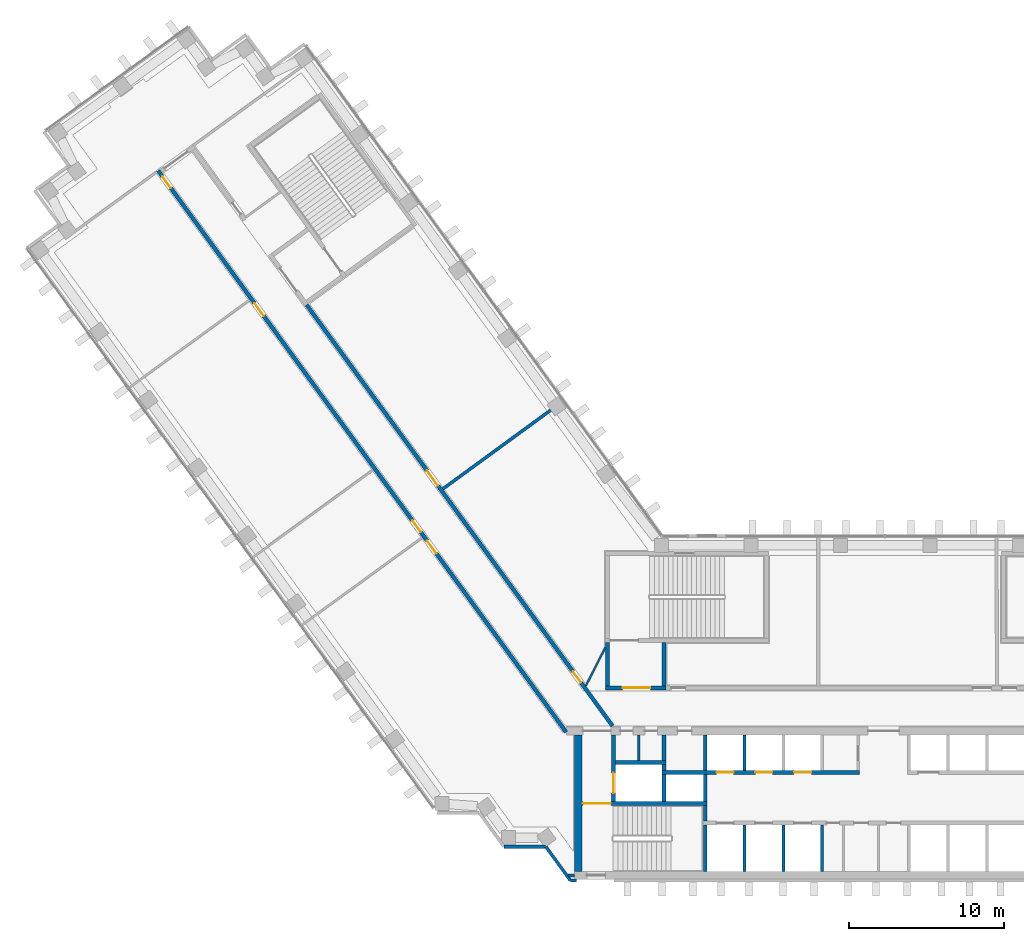
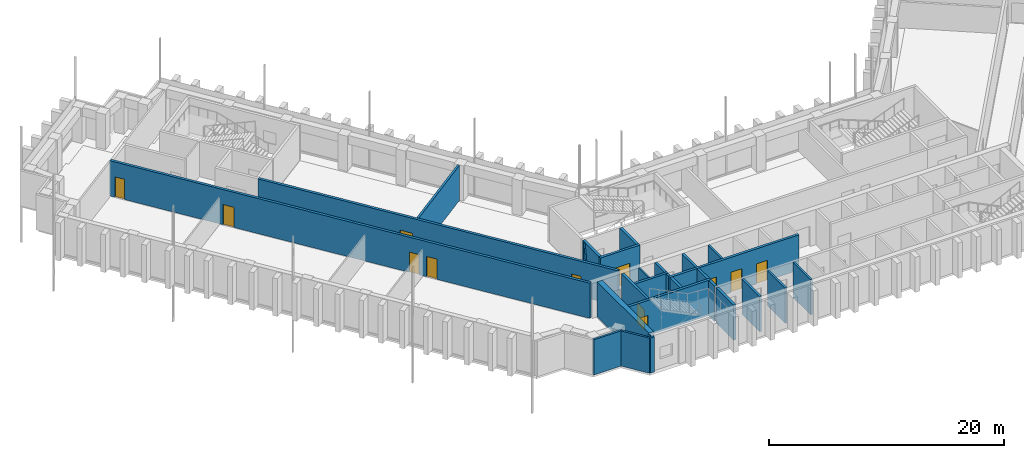
# One storey, part 9 of 17: 28 walls, 12 doors, 12 openings.
"""IFC4 building model written with IfcOpenShell, lengths in metres."""

from ifc_helpers import new_model, si_unit, direction, frame, frame_2d, origin, place, context, subcontext, project, spatial, rectangle, extrude, material, layer, layer_set, type_object, element, fill, save


model = new_model("IFC4")

# Units and contexts
model_context = context("Model", 3, precision=1e-05, world=origin(), true_north=direction((0.0, 1.0)))
body_context = subcontext(model_context, "Body", "Model", "MODEL_VIEW")
ifc_project = project(units=[si_unit("LENGTHUNIT", "METRE"), si_unit("AREAUNIT", "SQUARE_METRE"), si_unit("VOLUMEUNIT", "CUBIC_METRE"), si_unit("PLANEANGLEUNIT", "RADIAN"), si_unit("MASSUNIT", "GRAM", prefix="KILO")], contexts=[model_context])

# Site, building, storey
site_placement = place(None, origin())
site = spatial("IfcSite", under=ifc_project, at=site_placement, CompositionType="ELEMENT")
building_placement = place(site_placement, origin())
building = spatial("IfcBuilding", under=site, at=building_placement, Name="Quipu Civic Tower", CompositionType="ELEMENT")
storey_placement = place(building_placement, frame((0.0, 0.0, 101.0)))
storey = spatial("IfcBuildingStorey", under=building, at=storey_placement, Name="L23", CompositionType="ELEMENT", Elevation=101.0)

# Walls
ifc_material_1 = material(Name="Fired clay blockwork", Category="masonry")
ifc_layer_1 = layer(ifc_material_1, 0.199951171875)
ifc_layer_set_1 = layer_set([ifc_layer_1], Name="Fired clay blockwork")
wall_type_1 = type_object("IfcWallType", Name="Blockwork wall 200", PredefinedType="SOLIDWALL", material=ifc_layer_set_1)
wall_1_placement = place(storey_placement, frame((-28.468994140625, 14.1240234375, 0.0), z_axis=(0.0, 0.0, 1.0), x_axis=(0.807597163234, 0.589734535139, 0.0)))
element("IfcWall", 1, at=wall_1_placement, inside=storey, type_object=wall_type_1, Name="Partition P06", PredefinedType="SOLIDWALL", context=body_context, shape_type="SweptSolid", body=[
    extrude(rectangle(XDim=8.59521484375, YDim=0.199951171875, at=frame_2d((4.297607421875, 0.0))), origin(), (0.0, 0.0, 1.0), 3.64990234375),
])
ifc_material_2 = material(Name="Concrete C70/85", Category="concrete")
ifc_layer_2 = layer(ifc_material_2, 0.25)
ifc_layer_set_2 = layer_set([ifc_layer_2], Name="Concrete C70/85")
wall_type_2 = type_object("IfcWallType", Name="Core wall 250", PredefinedType="SHEAR", material=ifc_layer_set_2)
wall_2_placement = place(storey_placement, frame((-11.574951171875, -10.5, 0.0), z_axis=(0.0, 0.0, 1.0), x_axis=(0.0, 1.0, 0.0)))
element("IfcWall", 2, at=wall_2_placement, inside=storey, type_object=wall_type_2, Name="Core wall", PredefinedType="SHEAR", context=body_context, shape_type="SweptSolid", body=[
    extrude(rectangle(XDim=3.0, YDim=0.25, at=frame_2d((1.5, 0.0))), origin(), (0.0, 0.0, 1.0), 3.64990234375),
])
wall_3_placement = place(storey_placement, frame((-11.574951171875, -7.25, 0.0), z_axis=(0.0, 0.0, 1.0), x_axis=(0.0, 1.0, 0.0)))
element("IfcWall", 3, at=wall_3_placement, inside=storey, type_object=wall_type_2, Name="Core wall", PredefinedType="SHEAR", context=body_context, shape_type="SweptSolid", body=[
    extrude(rectangle(XDim=1.0, YDim=0.25, at=frame_2d((0.5, 0.0))), origin(), (0.0, 0.0, 1.0), 3.64990234375),
])

# Wall, opening, door
wall_4_placement = place(storey_placement, frame((-11.449951171875, -6.125, 0.0), z_axis=(0.0, 0.0, 1.0), x_axis=(-1.0, 0.0, 0.0)))
wall_4 = element("IfcWall", 4, at=wall_4_placement, inside=storey, type_object=wall_type_2, Name="Core wall", PredefinedType="SHEAR", context=body_context, shape_type="SweptSolid", body=[
    extrude(rectangle(XDim=8.050048828125, YDim=0.25, at=frame_2d((4.02490234375, 0.0))), origin(), (0.0, 0.0, 1.0), 3.64990234375),
])
opening_1_placement = place(wall_4_placement, frame((6.199951171875, 0.0, 0.0)))
opening_1 = element("IfcOpeningElement", 5, at=opening_1_placement, cuts=wall_4, Name="Opening CD-04", PredefinedType="OPENING", context=body_context, shape_type="SweptSolid", body=[
    extrude(rectangle(XDim=1.800048828125, YDim=2.10009765625, at=frame_2d((0.89990234375, 1.050048828125))), frame((0.0, 0.135009765625, 0.0), z_axis=(0.0, -1.0, 0.0), x_axis=(1.0, 0.0, 0.0)), (0.0, 0.0, 1.0), 0.27001953125),
])
ifc_material_3 = material(Name="Fire rated steel door", Category="steel")
door_type_1 = type_object("IfcDoorType", Name="Fire door FD90 double 1800 x 2100", OperationType="NOTDEFINED", PredefinedType="DOOR", material=ifc_material_3)
door_1_placement = place(opening_1_placement, origin())
door_1 = element("IfcDoor", 6, at=door_1_placement, inside=storey, type_object=door_type_1, Name="Door", OperationType="DOUBLE_DOOR_SINGLE_SWING", OverallHeight=2.10009765625, OverallWidth=1.800048828125, PredefinedType="DOOR", context=body_context, shape_type="SweptSolid", body=[
    extrude(rectangle(XDim=1.800048828125, YDim=2.10009765625, at=frame_2d((0.89990234375, 1.050048828125))), frame((0.0, 0.02490234375, 0.0), z_axis=(0.0, -1.0, 0.0), x_axis=(1.0, 0.0, 0.0)), (0.0, 0.0, 1.0), 0.050048828125),
])
fill(opening_1, door_1)

wall_5_placement = place(storey_placement, frame((-17.47509765625, -6.0, 0.0), z_axis=(0.0, 0.0, 1.0), x_axis=(0.0, 1.0, 0.0)))
wall_5 = element("IfcWall", 7, at=wall_5_placement, inside=storey, type_object=wall_type_2, Name="Core wall", PredefinedType="SHEAR", context=body_context, shape_type="SweptSolid", body=[
    extrude(rectangle(XDim=4.300048828125, YDim=0.25, at=frame_2d((2.14990234375, 0.0))), origin(), (0.0, 0.0, 1.0), 3.64990234375),
])
opening_2_placement = place(wall_5_placement, frame((0.550048828125, 0.0, 0.0)))
opening_2 = element("IfcOpeningElement", 8, at=opening_2_placement, cuts=wall_5, Name="Opening LD-FF1", PredefinedType="OPENING", context=body_context, shape_type="SweptSolid", body=[
    extrude(rectangle(XDim=1.300048828125, YDim=2.10009765625, at=frame_2d((0.64990234375, 1.050048828125))), frame((0.0, 0.135009765625, 0.0), z_axis=(0.0, -1.0, 0.0), x_axis=(1.0, 0.0, 0.0)), (0.0, 0.0, 1.0), 0.27001953125),
])
ifc_material_4 = material(Name="Stainless steel", Category="steel")
door_type_2 = type_object("IfcDoorType", Name="Lift landing door 1300 x 2100", OperationType="DOUBLE_DOOR_SLIDING", PredefinedType="DOOR", material=ifc_material_4)
door_2_placement = place(opening_2_placement, origin())
door_2 = element("IfcDoor", 9, at=door_2_placement, inside=storey, type_object=door_type_2, Name="Landing door FF1", OperationType="DOUBLE_DOOR_SLIDING", OverallHeight=2.10009765625, OverallWidth=1.300048828125, PredefinedType="DOOR", context=body_context, shape_type="SweptSolid", body=[
    extrude(rectangle(XDim=1.300048828125, YDim=2.10009765625, at=frame_2d((0.64990234375, 1.050048828125))), frame((0.0, 0.02490234375, 0.0), z_axis=(0.0, -1.0, 0.0), x_axis=(1.0, 0.0, 0.0)), (0.0, 0.0, 1.0), 0.050048828125),
])
fill(opening_2, door_2)

# Walls
for number, where, z_axis, x_axis, name in (
    (10, (-14.22509765625, -6.0, 0.0), (0.0, 0.0, 1.0), (0.0, 1.0, 0.0), "Core wall"),
    (11, (-11.574951171875, -6.0, 0.0), (0.0, 0.0, 1.0), (0.0, 1.0, 0.0), "Core wall"),
):
    element("IfcWall", number, at=place(storey_placement, frame(where, z_axis=z_axis, x_axis=x_axis)), inside=storey, type_object=wall_type_2, Name=name, PredefinedType="SHEAR", context=body_context, shape_type="SweptSolid", body=[
        extrude(rectangle(XDim=1.75, YDim=0.25, at=frame_2d((0.875, 0.0))), origin(), (0.0, 0.0, 1.0), 3.64990234375),
    ])

# Wall, openings, doors
wall_6_placement = place(storey_placement, frame((-14.35009765625, -4.125, 0.0), z_axis=(0.0, 0.0, 1.0), x_axis=(1.0, 0.0, 0.0)))
wall_6 = element("IfcWall", 12, at=wall_6_placement, inside=storey, type_object=wall_type_2, Name="Core wall", PredefinedType="SHEAR", context=body_context, shape_type="SweptSolid", body=[
    extrude(rectangle(XDim=12.7001953125, YDim=0.25, at=frame_2d((6.35009765625, 0.0))), origin(), (0.0, 0.0, 1.0), 3.64990234375),
])
opening_3_placement = place(wall_6_placement, frame((3.5, 0.0, 0.0)))
opening_3 = element("IfcOpeningElement", 13, at=opening_3_placement, cuts=wall_6, Name="Opening LD-LL4", PredefinedType="OPENING", context=body_context, shape_type="SweptSolid", body=[
    extrude(rectangle(XDim=1.10009765625, YDim=2.10009765625, at=frame_2d((0.550048828125, 1.050048828125))), frame((0.0, 0.135009765625, 0.0), z_axis=(0.0, -1.0, 0.0), x_axis=(1.0, 0.0, 0.0)), (0.0, 0.0, 1.0), 0.27001953125),
])
opening_4_placement = place(wall_6_placement, frame((6.0, 0.0, 0.0)))
opening_4 = element("IfcOpeningElement", 14, at=opening_4_placement, cuts=wall_6, Name="Opening LD-LL5", PredefinedType="OPENING", context=body_context, shape_type="SweptSolid", body=[
    extrude(rectangle(XDim=1.10009765625, YDim=2.10009765625, at=frame_2d((0.550048828125, 1.050048828125))), frame((0.0, 0.135009765625, 0.0), z_axis=(0.0, -1.0, 0.0), x_axis=(1.0, 0.0, 0.0)), (0.0, 0.0, 1.0), 0.27001953125),
])
opening_5_placement = place(wall_6_placement, frame((8.5, 0.0, 0.0)))
opening_5 = element("IfcOpeningElement", 15, at=opening_5_placement, cuts=wall_6, Name="Opening LD-LL6", PredefinedType="OPENING", context=body_context, shape_type="SweptSolid", body=[
    extrude(rectangle(XDim=1.10009765625, YDim=2.10009765625, at=frame_2d((0.550048828125, 1.050048828125))), frame((0.0, 0.135009765625, 0.0), z_axis=(0.0, -1.0, 0.0), x_axis=(1.0, 0.0, 0.0)), (0.0, 0.0, 1.0), 0.27001953125),
])
ifc_material_5 = material(Name="Stainless steel", Category="steel")
door_type_3 = type_object("IfcDoorType", Name="Lift landing door 1100 x 2100", OperationType="DOUBLE_DOOR_SLIDING", PredefinedType="DOOR", material=ifc_material_5)
door_3_placement = place(opening_3_placement, origin())
door_3 = element("IfcDoor", 16, at=door_3_placement, inside=storey, type_object=door_type_3, Name="Landing door LL4", OperationType="DOUBLE_DOOR_SLIDING", OverallHeight=2.10009765625, OverallWidth=1.10009765625, PredefinedType="DOOR", context=body_context, shape_type="SweptSolid", body=[
    extrude(rectangle(XDim=1.10009765625, YDim=2.10009765625, at=frame_2d((0.550048828125, 1.050048828125))), frame((0.0, 0.02490234375, 0.0), z_axis=(0.0, -1.0, 0.0), x_axis=(1.0, 0.0, 0.0)), (0.0, 0.0, 1.0), 0.050048828125),
])
fill(opening_3, door_3)
door_4_placement = place(opening_4_placement, origin())
door_4 = element("IfcDoor", 17, at=door_4_placement, inside=storey, type_object=door_type_3, Name="Landing door LL5", OperationType="DOUBLE_DOOR_SLIDING", OverallHeight=2.10009765625, OverallWidth=1.10009765625, PredefinedType="DOOR", context=body_context, shape_type="SweptSolid", body=[
    extrude(rectangle(XDim=1.10009765625, YDim=2.10009765625, at=frame_2d((0.550048828125, 1.050048828125))), frame((0.0, 0.02490234375, 0.0), z_axis=(0.0, -1.0, 0.0), x_axis=(1.0, 0.0, 0.0)), (0.0, 0.0, 1.0), 0.050048828125),
])
fill(opening_4, door_4)
door_5_placement = place(opening_5_placement, origin())
door_5 = element("IfcDoor", 18, at=door_5_placement, inside=storey, type_object=door_type_3, Name="Landing door LL6", OperationType="DOUBLE_DOOR_SLIDING", OverallHeight=2.10009765625, OverallWidth=1.10009765625, PredefinedType="DOOR", context=body_context, shape_type="SweptSolid", body=[
    extrude(rectangle(XDim=1.10009765625, YDim=2.10009765625, at=frame_2d((0.550048828125, 1.050048828125))), frame((0.0, 0.02490234375, 0.0), z_axis=(0.0, -1.0, 0.0), x_axis=(1.0, 0.0, 0.0)), (0.0, 0.0, 1.0), 0.050048828125),
])
fill(opening_5, door_5)

# Walls
wall_7_placement = place(storey_placement, frame((-14.22509765625, -4.0, 0.0), z_axis=(0.0, 0.0, 1.0), x_axis=(0.0, 1.0, 0.0)))
element("IfcWall", 19, at=wall_7_placement, inside=storey, type_object=wall_type_2, Name="Core wall", PredefinedType="SHEAR", context=body_context, shape_type="SweptSolid", body=[
    extrude(rectangle(XDim=0.39990234375, YDim=0.25, at=frame_2d((0.199951171875, 0.0))), origin(), (0.0, 0.0, 1.0), 3.64990234375),
])
wall_8_placement = place(storey_placement, frame((-11.574951171875, -4.0, 0.0), z_axis=(0.0, 0.0, 1.0), x_axis=(0.0, 1.0, 0.0)))
element("IfcWall", 20, at=wall_8_placement, inside=storey, type_object=wall_type_2, Name="Core wall", PredefinedType="SHEAR", context=body_context, shape_type="SweptSolid", body=[
    extrude(rectangle(XDim=2.300048828125, YDim=0.25, at=frame_2d((1.14990234375, 0.0))), origin(), (0.0, 0.0, 1.0), 3.64990234375),
])
wall_9_placement = place(storey_placement, frame((-17.35009765625, -3.47509765625, 0.0), z_axis=(0.0, 0.0, 1.0), x_axis=(1.0, 0.0, 0.0)))
element("IfcWall", 21, at=wall_9_placement, inside=storey, type_object=wall_type_2, Name="Core wall", PredefinedType="SHEAR", context=body_context, shape_type="SweptSolid", body=[
    extrude(rectangle(XDim=3.25, YDim=0.25, at=frame_2d((1.625, 0.0))), origin(), (0.0, 0.0, 1.0), 3.64990234375),
])
wall_10_placement = place(storey_placement, frame((-14.22509765625, -3.35009765625, 0.0), z_axis=(0.0, 0.0, 1.0), x_axis=(0.0, 1.0, 0.0)))
element("IfcWall", 22, at=wall_10_placement, inside=storey, type_object=wall_type_2, Name="Core wall", PredefinedType="SHEAR", context=body_context, shape_type="SweptSolid", body=[
    extrude(rectangle(XDim=1.650146484375, YDim=0.25, at=frame_2d((0.8251953125, 0.0))), origin(), (0.0, 0.0, 1.0), 3.64990234375),
])

# Wall, opening, door
wall_11_placement = place(storey_placement, frame((-18.0, 1.324951171875, 0.0), z_axis=(0.0, 0.0, 1.0), x_axis=(1.0, 0.0, 0.0)))
wall_11 = element("IfcWall", 23, at=wall_11_placement, inside=storey, type_object=wall_type_2, Name="Core wall", PredefinedType="SHEAR", context=body_context, shape_type="SweptSolid", body=[
    extrude(rectangle(XDim=3.89990234375, YDim=0.25, at=frame_2d((1.949951171875, 0.0))), origin(), (0.0, 0.0, 1.0), 3.64990234375),
])
opening_6_placement = place(wall_11_placement, frame((1.10009765625, 0.0, 0.0)))
opening_6 = element("IfcOpeningElement", 24, at=opening_6_placement, cuts=wall_11, Name="Opening CD-15", PredefinedType="OPENING", context=body_context, shape_type="SweptSolid", body=[
    extrude(rectangle(XDim=1.800048828125, YDim=2.10009765625, at=frame_2d((0.89990234375, 1.050048828125))), frame((0.0, 0.135009765625, 0.0), z_axis=(0.0, -1.0, 0.0), x_axis=(1.0, 0.0, 0.0)), (0.0, 0.0, 1.0), 0.27001953125),
])
door_6_placement = place(opening_6_placement, origin())
door_6 = element("IfcDoor", 25, at=door_6_placement, inside=storey, type_object=door_type_1, Name="Lobby door", OperationType="DOUBLE_DOOR_SINGLE_SWING", OverallHeight=2.10009765625, OverallWidth=1.800048828125, PredefinedType="DOOR", context=body_context, shape_type="SweptSolid", body=[
    extrude(rectangle(XDim=1.800048828125, YDim=2.10009765625, at=frame_2d((0.89990234375, 1.050048828125))), frame((0.0, 0.02490234375, 0.0), z_axis=(0.0, -1.0, 0.0), x_axis=(1.0, 0.0, 0.0)), (0.0, 0.0, 1.0), 0.050048828125),
])
fill(opening_6, door_6)

# Walls
for number, where, z_axis, x_axis, name in (
    (26, (-17.875, 1.449951171875, 0.0), (0.0, 0.0, 1.0), (0.0, 1.0, 0.0), "Core wall"),
    (27, (-14.22509765625, 1.449951171875, 0.0), (0.0, 0.0, 1.0), (0.0, 1.0, 0.0), "Core wall"),
):
    element("IfcWall", number, at=place(storey_placement, frame(where, z_axis=z_axis, x_axis=x_axis)), inside=storey, type_object=wall_type_2, Name=name, PredefinedType="SHEAR", context=body_context, shape_type="SweptSolid", body=[
        extrude(rectangle(XDim=2.800048828125, YDim=0.25, at=frame_2d((1.39990234375, 0.0))), origin(), (0.0, 0.0, 1.0), 3.64990234375),
    ])
ifc_material_6 = material(Name="Concrete C70/85", Category="concrete")
ifc_layer_3 = layer(ifc_material_6, 0.5)
ifc_layer_set_3 = layer_set([ifc_layer_3], Name="Concrete C70/85")
wall_type_3 = type_object("IfcWallType", Name="Core wall 500", PredefinedType="SHEAR", material=ifc_layer_set_3)
wall_12_placement = place(storey_placement, frame((-19.75, -10.5, 0.0), z_axis=(0.0, 0.0, 1.0), x_axis=(0.0, 1.0, 0.0)))
element("IfcWall", 28, at=wall_12_placement, inside=storey, type_object=wall_type_3, Name="Core wall", PredefinedType="SHEAR", context=body_context, shape_type="SweptSolid", body=[
    extrude(rectangle(XDim=8.800048828125, YDim=0.5, at=frame_2d((4.39990234375, 0.0))), origin(), (0.0, 0.0, 1.0), 3.64990234375),
])

# Wall, openings, doors
ifc_material_7 = material(Name="Concrete C50/60", Category="concrete")
ifc_layer_4 = layer(ifc_material_7, 0.25)
ifc_layer_set_4 = layer_set([ifc_layer_4], Name="Concrete C50/60")
wall_type_4 = type_object("IfcWallType", Name="Corridor wall 250 concrete", PredefinedType="SOLIDWALL", material=ifc_layer_set_4)
wall_13_placement = place(storey_placement, frame((-20.531005859375, -1.5234375, 0.0), z_axis=(0.0, 0.0, 1.0), x_axis=(-0.587784593204, 0.809017473231, 0.0)))
wall_13 = element("IfcWall", 29, at=wall_13_placement, inside=storey, type_object=wall_type_4, Name="Corridor wall C01", PredefinedType="SOLIDWALL", context=body_context, shape_type="SweptSolid", body=[
    extrude(rectangle(XDim=44.67041015625, YDim=0.25, at=frame_2d((22.335205078125, 0.0))), origin(), (0.0, 0.0, 1.0), 3.64990234375),
])
opening_7_placement = place(wall_13_placement, frame((43.295654296875, 0.0, 0.0)))
opening_7 = element("IfcOpeningElement", 30, at=opening_7_placement, cuts=wall_13, Name="Opening D012", PredefinedType="OPENING", context=body_context, shape_type="SweptSolid", body=[
    extrude(rectangle(XDim=0.89990234375, YDim=2.10009765625, at=frame_2d((0.449951171875, 1.050048828125))), frame((0.0, 0.135009765625, 0.0), z_axis=(0.0, -1.0, 0.0), x_axis=(1.0, 0.0, 0.0)), (0.0, 0.0, 1.0), 0.27001953125),
])
opening_8_placement = place(wall_13_placement, frame((15.915771484375, 0.0, 0.0)))
opening_8 = element("IfcOpeningElement", 31, at=opening_8_placement, cuts=wall_13, Name="Opening D014", PredefinedType="OPENING", context=body_context, shape_type="SweptSolid", body=[
    extrude(rectangle(XDim=0.89990234375, YDim=2.10009765625, at=frame_2d((0.449951171875, 1.050048828125))), frame((0.0, 0.135009765625, 0.0), z_axis=(0.0, -1.0, 0.0), x_axis=(1.0, 0.0, 0.0)), (0.0, 0.0, 1.0), 0.27001953125),
])
opening_9_placement = place(wall_13_placement, frame((33.115966796875, 0.0, 0.0)))
opening_9 = element("IfcOpeningElement", 32, at=opening_9_placement, cuts=wall_13, Name="Opening D013", PredefinedType="OPENING", context=body_context, shape_type="SweptSolid", body=[
    extrude(rectangle(XDim=1.0, YDim=2.10009765625, at=frame_2d((0.5, 1.050048828125))), frame((0.0, 0.135009765625, 0.0), z_axis=(0.0, -1.0, 0.0), x_axis=(1.0, 0.0, 0.0)), (0.0, 0.0, 1.0), 0.27001953125),
])
opening_10_placement = place(wall_13_placement, frame((14.215576171875, 0.0, 0.0)))
opening_10 = element("IfcOpeningElement", 33, at=opening_10_placement, cuts=wall_13, Name="Opening D015", PredefinedType="OPENING", context=body_context, shape_type="SweptSolid", body=[
    extrude(rectangle(XDim=1.0, YDim=2.10009765625, at=frame_2d((0.5, 1.050048828125))), frame((0.0, 0.135009765625, 0.0), z_axis=(0.0, -1.0, 0.0), x_axis=(1.0, 0.0, 0.0)), (0.0, 0.0, 1.0), 0.27001953125),
])
ifc_material_8 = material(Name="Fire rated timber door set with metal frame", Category="wood")
door_type_4 = type_object("IfcDoorType", Name="Single door 1000 x 2100 FD60", OperationType="NOTDEFINED", PredefinedType="DOOR", material=ifc_material_8)
door_7_placement = place(opening_9_placement, origin())
door_7 = element("IfcDoor", 34, at=door_7_placement, inside=storey, type_object=door_type_4, Name="Door D013", OperationType="SINGLE_SWING_RIGHT", OverallHeight=2.10009765625, OverallWidth=1.0, PredefinedType="DOOR", context=body_context, shape_type="SweptSolid", body=[
    extrude(rectangle(XDim=1.0, YDim=2.10009765625, at=frame_2d((0.5, 1.050048828125))), frame((0.0, 0.02490234375, 0.0), z_axis=(0.0, -1.0, 0.0), x_axis=(1.0, 0.0, 0.0)), (0.0, 0.0, 1.0), 0.050048828125),
])
fill(opening_9, door_7)
door_8_placement = place(opening_10_placement, origin())
door_8 = element("IfcDoor", 35, at=door_8_placement, inside=storey, type_object=door_type_4, Name="Door D015", OperationType="SINGLE_SWING_RIGHT", OverallHeight=2.10009765625, OverallWidth=1.0, PredefinedType="DOOR", context=body_context, shape_type="SweptSolid", body=[
    extrude(rectangle(XDim=1.0, YDim=2.10009765625, at=frame_2d((0.5, 1.050048828125))), frame((0.0, 0.02490234375, 0.0), z_axis=(0.0, -1.0, 0.0), x_axis=(1.0, 0.0, 0.0)), (0.0, 0.0, 1.0), 0.050048828125),
])
fill(opening_10, door_8)
ifc_material_9 = material(Name="Fire rated timber door set with metal frame", Category="wood")
door_type_5 = type_object("IfcDoorType", Name="Single door 900 x 2100 FD60", OperationType="NOTDEFINED", PredefinedType="DOOR", material=ifc_material_9)
door_9_placement = place(opening_7_placement, origin())
door_9 = element("IfcDoor", 36, at=door_9_placement, inside=storey, type_object=door_type_5, Name="Door D012", OperationType="SINGLE_SWING_RIGHT", OverallHeight=2.10009765625, OverallWidth=0.89990234375, PredefinedType="DOOR", context=body_context, shape_type="SweptSolid", body=[
    extrude(rectangle(XDim=0.89990234375, YDim=2.10009765625, at=frame_2d((0.449951171875, 1.050048828125))), frame((0.0, 0.02490234375, 0.0), z_axis=(0.0, -1.0, 0.0), x_axis=(1.0, 0.0, 0.0)), (0.0, 0.0, 1.0), 0.050048828125),
])
fill(opening_7, door_9)
door_10_placement = place(opening_8_placement, origin())
door_10 = element("IfcDoor", 37, at=door_10_placement, inside=storey, type_object=door_type_5, Name="Door D014", OperationType="SINGLE_SWING_LEFT", OverallHeight=2.10009765625, OverallWidth=0.89990234375, PredefinedType="DOOR", context=body_context, shape_type="SweptSolid", body=[
    extrude(rectangle(XDim=0.89990234375, YDim=2.10009765625, at=frame_2d((0.449951171875, 1.050048828125))), frame((0.0, 0.02490234375, 0.0), z_axis=(0.0, -1.0, 0.0), x_axis=(1.0, 0.0, 0.0)), (0.0, 0.0, 1.0), 0.050048828125),
])
fill(opening_8, door_10)

wall_14_placement = place(storey_placement, frame((-37.231689453125, 25.9716796875, 0.0), z_axis=(0.0, 0.0, 1.0), x_axis=(0.587786323093, -0.809016216391, 0.0)))
wall_14 = element("IfcWall", 38, at=wall_14_placement, inside=storey, type_object=wall_type_4, Name="Corridor wall C04", PredefinedType="SOLIDWALL", context=body_context, shape_type="SweptSolid", body=[
    extrude(rectangle(XDim=33.4931640625, YDim=0.25, at=frame_2d((16.74658203125, 0.0))), origin(), (0.0, 0.0, 1.0), 3.64990234375),
])
opening_11_placement = place(wall_14_placement, frame((13.184814453125, 0.0, 0.0)))
opening_11 = element("IfcOpeningElement", 39, at=opening_11_placement, cuts=wall_14, Name="Opening D010", PredefinedType="OPENING", context=body_context, shape_type="SweptSolid", body=[
    extrude(rectangle(XDim=1.199951171875, YDim=2.10009765625, at=frame_2d((0.60009765625, 1.050048828125))), frame((0.0, 0.135009765625, 0.0), z_axis=(0.0, -1.0, 0.0), x_axis=(1.0, 0.0, 0.0)), (0.0, 0.0, 1.0), 0.27001953125),
])
opening_12_placement = place(wall_14_placement, frame((29.151611328125, 0.0, 0.0)))
opening_12 = element("IfcOpeningElement", 40, at=opening_12_placement, cuts=wall_14, Name="Opening D011", PredefinedType="OPENING", context=body_context, shape_type="SweptSolid", body=[
    extrude(rectangle(XDim=0.89990234375, YDim=2.10009765625, at=frame_2d((0.449951171875, 1.050048828125))), frame((0.0, 0.135009765625, 0.0), z_axis=(0.0, -1.0, 0.0), x_axis=(1.0, 0.0, 0.0)), (0.0, 0.0, 1.0), 0.27001953125),
])
ifc_material_10 = material(Name="Fire rated timber door set with metal frame", Category="wood")
door_type_6 = type_object("IfcDoorType", Name="Single door 1200 x 2100 FD60", OperationType="NOTDEFINED", PredefinedType="DOOR", material=ifc_material_10)
door_11_placement = place(opening_11_placement, origin())
door_11 = element("IfcDoor", 41, at=door_11_placement, inside=storey, type_object=door_type_6, Name="Door D010", OperationType="SINGLE_SWING_RIGHT", OverallHeight=2.10009765625, OverallWidth=1.199951171875, PredefinedType="DOOR", context=body_context, shape_type="SweptSolid", body=[
    extrude(rectangle(XDim=1.199951171875, YDim=2.10009765625, at=frame_2d((0.60009765625, 1.050048828125))), frame((0.0, 0.02490234375, 0.0), z_axis=(0.0, -1.0, 0.0), x_axis=(1.0, 0.0, 0.0)), (0.0, 0.0, 1.0), 0.050048828125),
])
fill(opening_11, door_11)
door_12_placement = place(opening_12_placement, origin())
door_12 = element("IfcDoor", 42, at=door_12_placement, inside=storey, type_object=door_type_5, Name="Door D011", OperationType="SINGLE_SWING_RIGHT", OverallHeight=2.10009765625, OverallWidth=0.89990234375, PredefinedType="DOOR", context=body_context, shape_type="SweptSolid", body=[
    extrude(rectangle(XDim=0.89990234375, YDim=2.10009765625, at=frame_2d((0.449951171875, 1.050048828125))), frame((0.0, 0.02490234375, 0.0), z_axis=(0.0, -1.0, 0.0), x_axis=(1.0, 0.0, 0.0)), (0.0, 0.0, 1.0), 0.050048828125),
])
fill(opening_12, door_12)

# Walls
ifc_material_11 = material(Name="Gypsum plasterboard on light gauge framing")
ifc_layer_5 = layer(ifc_material_11, 0.1201171875)
ifc_layer_set_5 = layer_set([ifc_layer_5], Name="Gypsum plasterboard on light gauge framing")
wall_type_5 = type_object("IfcWallType", Name="Partition 120 plasterboard", PredefinedType="PARTITIONING", material=ifc_layer_set_5)
wall_15_placement = place(storey_placement, frame((-19.260986328125, 1.449951171875, 0.0), z_axis=(0.0, 0.0, 1.0), x_axis=(0.453950796792, 0.891026752736, 0.0)))
element("IfcWall", 43, at=wall_15_placement, inside=storey, type_object=wall_type_5, Name="Partition P15", PredefinedType="PARTITIONING", context=body_context, shape_type="SweptSolid", body=[
    extrude(rectangle(XDim=2.77783203125, YDim=0.1201171875, at=frame_2d((1.388916015625, 0.0))), origin(), (0.0, 0.0, 1.0), 3.64990234375),
])
ifc_material_12 = material(Name="Gypsum board partition")
ifc_layer_6 = layer(ifc_material_12, 0.14990234375)
ifc_layer_set_6 = layer_set([ifc_layer_6], Name="Gypsum board partition")
wall_type_6 = type_object("IfcWallType", Name="Partition 150", PredefinedType="PARTITIONING", material=ifc_layer_set_6)
wall_16_placement = place(storey_placement, frame((-15.85009765625, -3.35009765625, 0.0), z_axis=(0.0, 0.0, 1.0), x_axis=(0.0, 1.0, 0.0)))
element("IfcWall", 44, at=wall_16_placement, inside=storey, type_object=wall_type_6, Name="Partition", PredefinedType="PARTITIONING", context=body_context, shape_type="SweptSolid", body=[
    extrude(rectangle(XDim=1.650146484375, YDim=0.14990234375, at=frame_2d((0.8251953125, 0.0))), origin(), (0.0, 0.0, 1.0), 3.64990234375),
])
ifc_material_13 = material(Name="Precast concrete C40/50", Category="concrete")
wall_type_7 = type_object("IfcWallType", Name="Precast cladding wall", PredefinedType="SOLIDWALL", material=ifc_material_13)
wall_17_placement = place(storey_placement, frame((-24.542724609375, -8.90380859375, 0.0), z_axis=(0.0, 0.0, 1.0), x_axis=(1.0, 0.0, 0.0)))
element("IfcWall", 45, at=wall_17_placement, inside=storey, type_object=wall_type_7, Name="Precast cladding wall L23 P19", PredefinedType="SOLIDWALL", context=body_context, shape_type="SweptSolid", body=[
    extrude(rectangle(XDim=2.699951171875, YDim=0.199951171875, at=frame_2d((1.35009765625, 0.0))), origin(), (0.0, 0.0, 1.0), 3.64990234375),
])
wall_18_placement = place(storey_placement, frame((-21.8330078125, -8.90869140625, 0.0), z_axis=(0.0, 0.0, 1.0), x_axis=(0.587766567315, -0.809030569476, 0.0)))
element("IfcWall", 46, at=wall_18_placement, inside=storey, type_object=wall_type_7, Name="Precast cladding wall L23 P20", PredefinedType="SOLIDWALL", context=body_context, shape_type="SweptSolid", body=[
    extrude(rectangle(XDim=2.687744140625, YDim=0.199951171875, at=frame_2d((1.34375, 0.0))), origin(), (0.0, 0.0, 1.0), 3.64990234375),
])
wall_19_placement = place(storey_placement, frame((-20.255859375, -11.087890625, 0.0), z_axis=(0.0, 0.0, 1.0), x_axis=(1.0, 0.0, 0.0)))
element("IfcWall", 47, at=wall_19_placement, inside=storey, type_object=wall_type_7, Name="Precast cladding wall L23 P21", PredefinedType="SOLIDWALL", context=body_context, shape_type="SweptSolid", body=[
    extrude(rectangle(XDim=0.40576171875, YDim=0.199951171875, at=frame_2d((0.202880859375, 0.0))), origin(), (0.0, 0.0, 1.0), 3.64990234375),
])
wall_20_placement = place(storey_placement, frame((-19.97998046875, -10.75, 0.0), z_axis=(0.0, 0.0, 1.0), x_axis=(-1.0, 0.0, 0.0)))
element("IfcWall", 48, at=wall_20_placement, inside=storey, type_object=wall_type_7, Name="Precast cladding return L23 W", PredefinedType="SOLIDWALL", context=body_context, shape_type="SweptSolid", body=[
    extrude(rectangle(XDim=0.41650390625, YDim=0.199951171875, at=frame_2d((0.208251953125, 0.0))), origin(), (0.0, 0.0, 1.0), 3.64990234375),
])
ifc_material_14 = material(Name="Concrete C40/50", Category="concrete")
ifc_layer_7 = layer(ifc_material_14, 0.199951171875)
ifc_layer_set_7 = layer_set([ifc_layer_7], Name="Concrete C40/50")
wall_type_8 = type_object("IfcWallType", Name="Shaft wall 200", PredefinedType="SOLIDWALL", material=ifc_layer_set_7)
for number, where, z_axis, x_axis, name in (
    (49, (-9.050048828125, -10.5, 0.0), (0.0, 0.0, 1.0), (0.0, 1.0, 0.0), "Shaft wall"),
    (50, (-6.550048828125, -10.5, 0.0), (0.0, 0.0, 1.0), (0.0, 1.0, 0.0), "Shaft wall"),
    (51, (-4.050048828125, -10.5, 0.0), (0.0, 0.0, 1.0), (0.0, 1.0, 0.0), "Shaft wall"),
):
    element("IfcWall", number, at=place(storey_placement, frame(where, z_axis=z_axis, x_axis=x_axis)), inside=storey, type_object=wall_type_8, Name=name, PredefinedType="SOLIDWALL", context=body_context, shape_type="SweptSolid", body=[
        extrude(rectangle(XDim=3.0, YDim=0.199951171875, at=frame_2d((1.5, 0.0))), origin(), (0.0, 0.0, 1.0), 3.64990234375),
    ])
wall_21_placement = place(storey_placement, frame((-9.050048828125, -4.0, 0.0), z_axis=(0.0, 0.0, 1.0), x_axis=(0.0, 1.0, 0.0)))
element("IfcWall", 52, at=wall_21_placement, inside=storey, type_object=wall_type_8, Name="Shaft wall", PredefinedType="SOLIDWALL", context=body_context, shape_type="SweptSolid", body=[
    extrude(rectangle(XDim=2.300048828125, YDim=0.199951171875, at=frame_2d((1.14990234375, 0.0))), origin(), (0.0, 0.0, 1.0), 3.64990234375),
])

save(model, "model.ifc")
